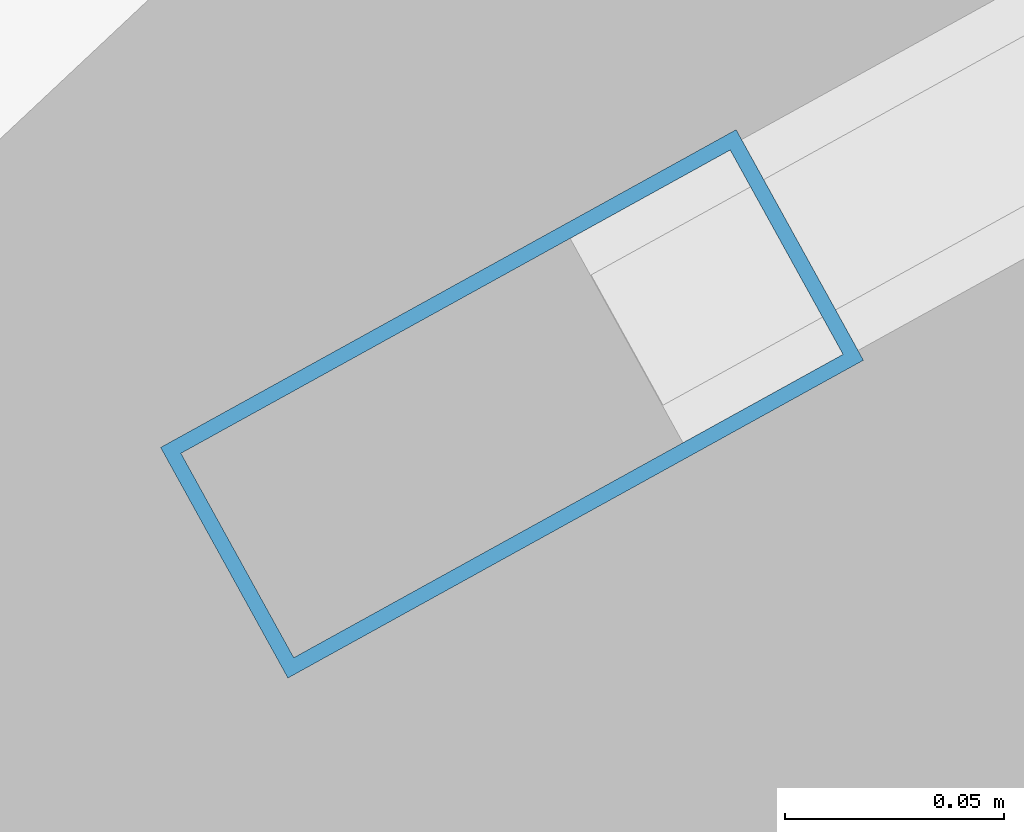
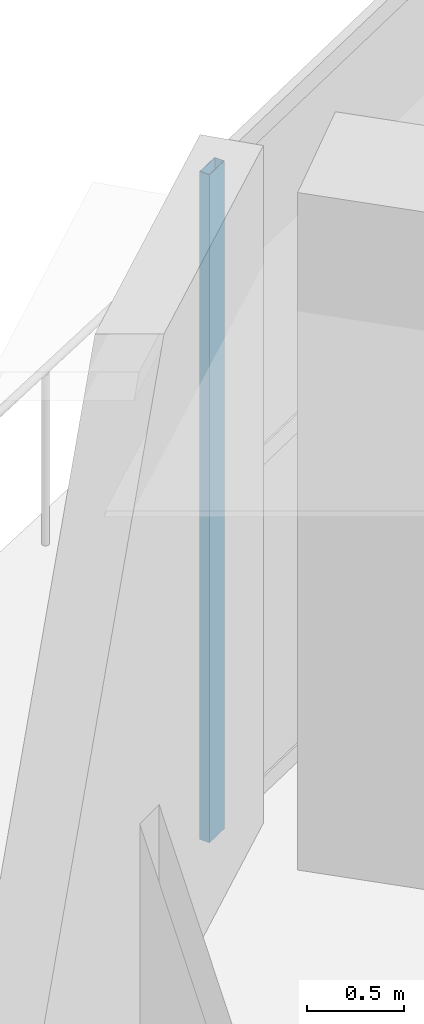
# One storey, part 28 of 107: 1 member, 1 element without a shape of its own.
"""IFC4 building model written with IfcOpenShell, lengths in metres."""

from ifc_helpers import new_model, si_unit, direction, frame, origin, origin_2d, place, context, subcontext, project, spatial, hollow_rectangle, extrude, material, layer, layer_set, material_profile, profile_set, type_object, element, aggregate, save


model = new_model("IFC4")

# Units and contexts
model_context = context("Model", 3, precision=1e-05, world=origin(), true_north=direction((0.0, 1.0)))
body_context = subcontext(model_context, "Body", "Model", "MODEL_VIEW")
ifc_project = project(units=[si_unit("LENGTHUNIT", "METRE"), si_unit("AREAUNIT", "SQUARE_METRE"), si_unit("VOLUMEUNIT", "CUBIC_METRE"), si_unit("PLANEANGLEUNIT", "RADIAN"), si_unit("MASSUNIT", "GRAM", prefix="KILO")], contexts=[model_context])

# Site, building, storey
site_placement = place(None, origin())
site = spatial("IfcSite", under=ifc_project, at=site_placement, CompositionType="ELEMENT")
building_placement = place(site_placement, origin())
building = spatial("IfcBuilding", under=site, at=building_placement, Name="Kalgoora Escarpment Arena", CompositionType="ELEMENT")
storey_placement = place(building_placement, frame((0.0, 0.0, 5.39990234375)))
storey = spatial("IfcBuildingStorey", under=building, at=storey_placement, Name="L01", CompositionType="ELEMENT", Elevation=5.39990234375)

# Curtain wall, member
ifc_material_1 = material(Name=" Champagne anodised aluminium & double-glazed low-E", Category="aluminium")
ifc_layer = layer(ifc_material_1, 0.162109375)
ifc_layer_set = layer_set([ifc_layer], Name="CW-UNIT-18")
curtain_wall_type = type_object("IfcCurtainWallType", Name="CW-UNIT-18", PredefinedType="NOTDEFINED", material=ifc_layer_set)
curtain_wall_placement = place(storey_placement, origin())
curtain_wall = element("IfcCurtainWall", 1, at=curtain_wall_placement, inside=storey, type_object=curtain_wall_type, Name="L01 unitised facade curtain wall 017", PredefinedType="NOTDEFINED")
ifc_material_2 = material(Name="Anodised aluminium 6063-T6", Category="aluminium")
ifc_material_profile = material_profile(ifc_material_2, hollow_rectangle(XDim=0.06005859375, YDim=0.14990234375, WallThickness=0.00341796875, at=origin_2d()))
ifc_profile_set = profile_set([ifc_material_profile], Name="Anodised aluminium 6063-T6")
member_type = type_object("IfcMemberType", Name="MEM-CW-MULL-150", PredefinedType="MULLION", material=ifc_profile_set)
member_placement = place(storey_placement, frame((30.966064453125, 108.17431640625, 0.02001953125), z_axis=(0.0, 0.0, 1.0), x_axis=(-0.483358505238, 0.87542250109, 0.0)))
member = element("IfcMember", 2, at=member_placement, type_object=member_type, Name="CW-18 mullion 1", PredefinedType="MULLION", context=body_context, shape_type="SweptSolid", body=[
    extrude(hollow_rectangle(XDim=0.06005859375, YDim=0.14990234375, WallThickness=0.00341796875, at=origin_2d()), origin(), (0.0, 0.0, 1.0), 4.190185546875),
])
aggregate(curtain_wall, [member])

save(model, "model.ifc")
